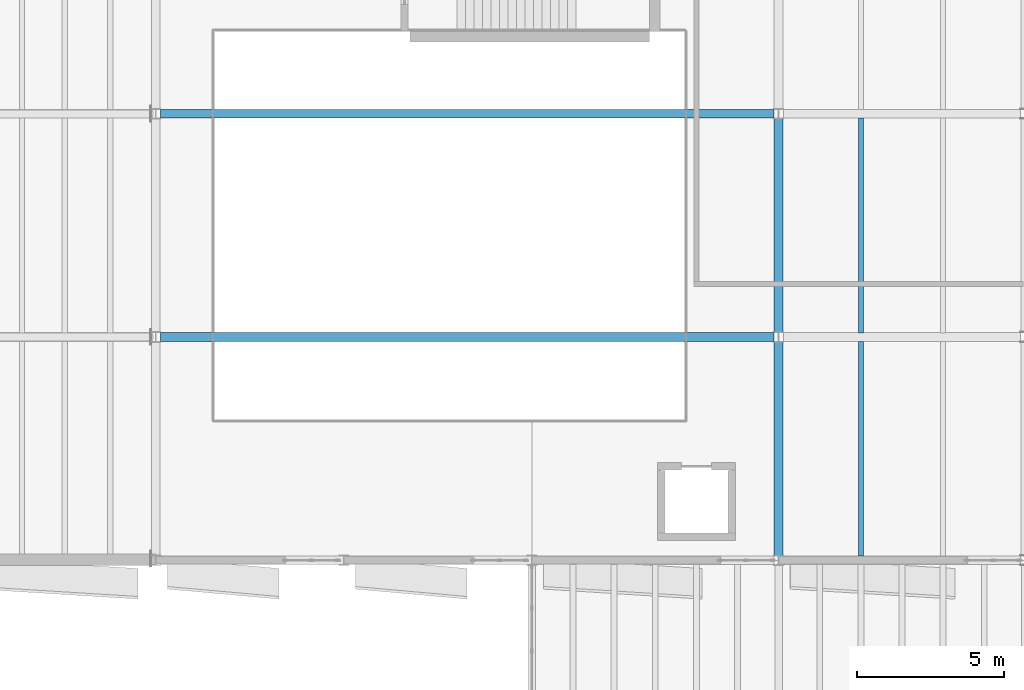
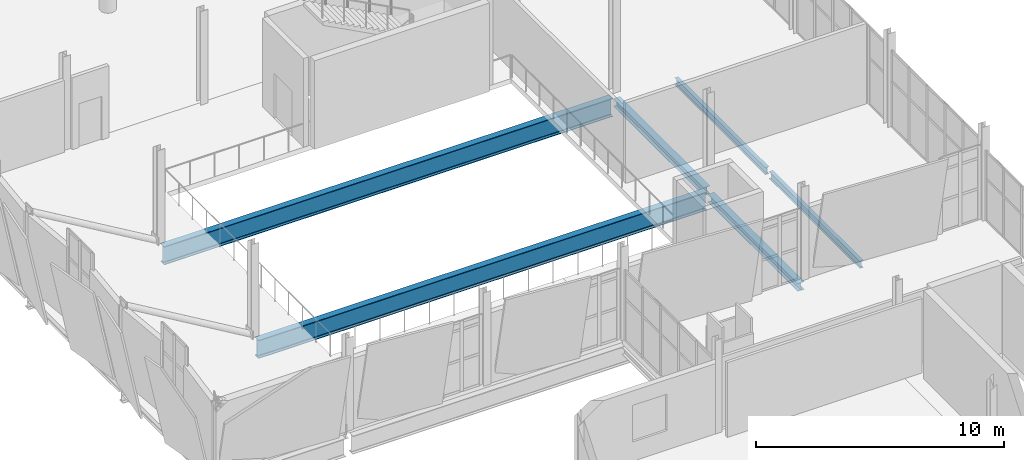
# One storey, part 24 of 136: 6 beams.
"""IFC4 building model written with IfcOpenShell, lengths in metres."""

from ifc_helpers import new_model, si_unit, direction, frame, origin, origin_2d, place, context, subcontext, project, spatial, i_section, extrude, material, material_profile, profile_set, type_object, element, save


model = new_model("IFC4")

# Units and contexts
model_context = context("Model", 3, precision=1e-05, world=origin(), true_north=direction((0.0, 1.0)))
body_context = subcontext(model_context, "Body", "Model", "MODEL_VIEW")
ifc_project = project(units=[si_unit("LENGTHUNIT", "METRE"), si_unit("AREAUNIT", "SQUARE_METRE"), si_unit("VOLUMEUNIT", "CUBIC_METRE"), si_unit("PLANEANGLEUNIT", "RADIAN"), si_unit("MASSUNIT", "GRAM", prefix="KILO")], contexts=[model_context])

# Site, building, storey
site_placement = place(None, origin())
site = spatial("IfcSite", under=ifc_project, at=site_placement, CompositionType="ELEMENT")
building_placement = place(site_placement, origin())
building = spatial("IfcBuilding", under=site, at=building_placement, Name="Shengluoqiao Park Theatre", CompositionType="ELEMENT")
storey_placement = place(building_placement, frame((0.0, 0.0, 10.0)))
storey = spatial("IfcBuildingStorey", under=building, at=storey_placement, Name="L02", CompositionType="ELEMENT", Elevation=10.0)

# Beams
ifc_material_1 = material(Name="Steel Q355", Category="steel")
ifc_material_profile_1 = material_profile(ifc_material_1, i_section(OverallWidth=0.300048828125, OverallDepth=0.389892578125, WebThickness=0.010009765625, FlangeThickness=0.01611328125, FilletRadius=0.01806640625, at=origin_2d()), Name="HM 390x300x10x16")
ifc_profile_set_1 = profile_set([ifc_material_profile_1], Name="Steel Q355")
beam_type_1 = type_object("IfcBeamType", Name="STR-BM-G-HM390", PredefinedType="BEAM", material=ifc_profile_set_1)
for number, where, z_axis, x_axis, name in (
    (1, (27.60009765625, 30.569091796875, -0.534912109375), (0.0, 1.0, 0.0), (-1.0, 0.0, 0.0), "L02 Transverse Girder 00880"),
    (2, (27.60009765625, 38.1689453125, -0.43505859375), (0.0, 1.0, 0.0), (-1.0, 0.0, 0.0), "L02 Transverse Girder 00881"),
):
    element("IfcBeam", number, at=place(storey_placement, frame(where, z_axis=z_axis, x_axis=x_axis)), inside=storey, type_object=beam_type_1, Name=name, PredefinedType="BEAM", context=body_context, shape_type="SweptSolid", body=[
        extrude(i_section(OverallWidth=0.300048828125, OverallDepth=0.389892578125, WebThickness=0.010009765625, FlangeThickness=0.01611328125, FilletRadius=0.01806640625, at=origin_2d()), origin(), (0.0, 0.0, 1.0), 7.261962890625),
    ])
ifc_material_2 = material(Name="Steel Q390", Category="steel")
ifc_material_profile_2 = material_profile(ifc_material_2, i_section(OverallWidth=0.300048828125, OverallDepth=0.89990234375, WebThickness=0.01611328125, FlangeThickness=0.028076171875, FilletRadius=0.028076171875, at=origin_2d()), Name="HN 900x300x16x28")
ifc_profile_set_2 = profile_set([ifc_material_profile_2], Name="Steel Q390")
beam_type_2 = type_object("IfcBeamType", Name="STR-BM-G-HN900", PredefinedType="BEAM", material=ifc_profile_set_2)
for number, where, z_axis, x_axis, name in (
    (3, (6.56298828125, 38.0, -0.68994140625), (1.0, 0.0, 0.0), (0.0, 1.0, 0.0), "CT-V3-2 L02 Continuous Back-Span Chord"),
    (4, (6.56298828125, 45.60009765625, -0.68994140625), (1.0, 0.0, 0.0), (0.0, 1.0, 0.0), "CT-V3-3 L02 Continuous Back-Span Chord"),
):
    element("IfcBeam", number, at=place(storey_placement, frame(where, z_axis=z_axis, x_axis=x_axis)), inside=storey, type_object=beam_type_2, Name=name, PredefinedType="BEAM", context=body_context, shape_type="SweptSolid", body=[
        extrude(i_section(OverallWidth=0.300048828125, OverallDepth=0.89990234375, WebThickness=0.01611328125, FlangeThickness=0.028076171875, FilletRadius=0.028076171875, at=origin_2d()), origin(), (0.0, 0.0, 1.0), 20.8740234375),
    ])
ifc_material_profile_3 = material_profile(ifc_material_1, i_section(OverallWidth=0.175048828125, OverallDepth=0.35009765625, WebThickness=0.007080078125, FlangeThickness=0.010986328125, FilletRadius=0.013916015625, at=origin_2d()), Name="HN 350x175x7x11")
ifc_profile_set_3 = profile_set([ifc_material_profile_3], Name="Steel Q355")
beam_type_3 = type_object("IfcBeamType", Name="STR-BM-J-HN350", PredefinedType="JOIST", material=ifc_profile_set_3)
for number, where, z_axis, x_axis, name in (
    (5, (30.39990234375, 30.544921875, -0.4150390625), (0.0, 1.0, 0.0), (-1.0, 0.0, 0.0), "L02 Composite Joist 00886"),
    (6, (30.39990234375, 38.14501953125, -0.4150390625), (0.0, 1.0, 0.0), (-1.0, 0.0, 0.0), "L02 Composite Joist 00888"),
):
    element("IfcBeam", number, at=place(storey_placement, frame(where, z_axis=z_axis, x_axis=x_axis)), inside=storey, type_object=beam_type_3, Name=name, PredefinedType="JOIST", context=body_context, shape_type="SweptSolid", body=[
        extrude(i_section(OverallWidth=0.175048828125, OverallDepth=0.35009765625, WebThickness=0.007080078125, FlangeThickness=0.010986328125, FilletRadius=0.013916015625, at=origin_2d()), origin(), (0.0, 0.0, 1.0), 7.31005859375),
    ])

save(model, "model.ifc")
